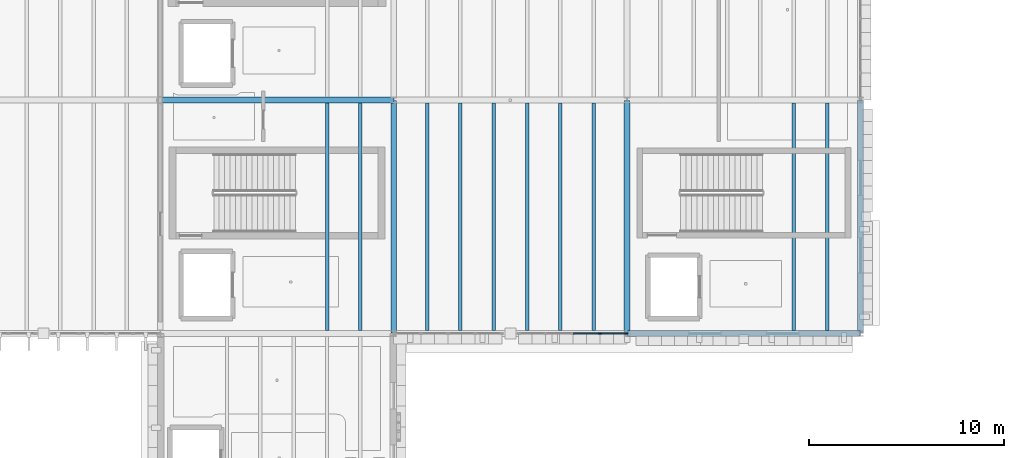
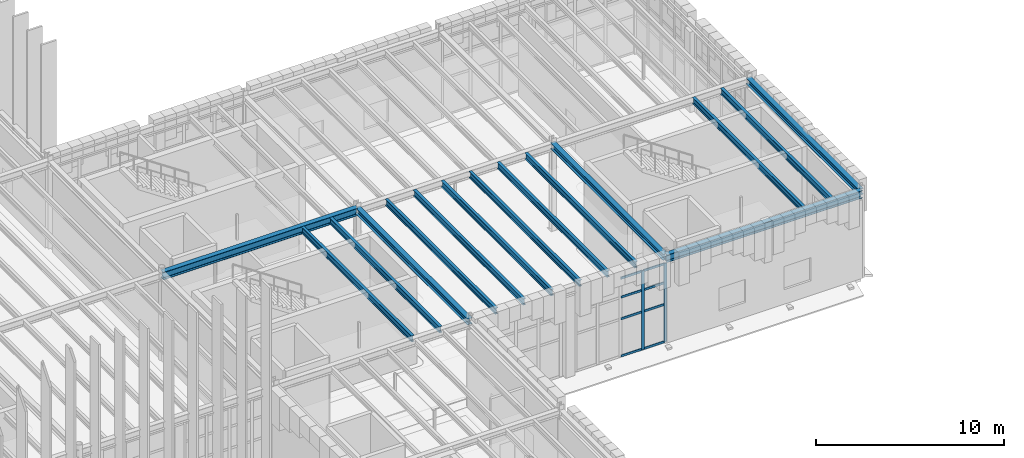
# One storey, part 32 of 83: 15 beams, 10 members, 1 element without a shape of its own.
"""IFC4 building model written with IfcOpenShell, lengths in metres."""

from ifc_helpers import new_model, si_unit, direction, frame, origin, origin_2d, place, context, subcontext, project, spatial, rectangle, i_section, extrude, material, layer, layer_set, material_profile, profile_set, type_object, element, aggregate, save


model = new_model("IFC4")

# Units and contexts
model_context = context("Model", 3, precision=1e-05, world=origin(), true_north=direction((0.0, 1.0)))
body_context = subcontext(model_context, "Body", "Model", "MODEL_VIEW")
ifc_project = project(units=[si_unit("LENGTHUNIT", "METRE"), si_unit("AREAUNIT", "SQUARE_METRE"), si_unit("VOLUMEUNIT", "CUBIC_METRE"), si_unit("PLANEANGLEUNIT", "RADIAN"), si_unit("MASSUNIT", "GRAM", prefix="KILO")], contexts=[model_context])

# Site, building, storey
site_placement = place(None, origin())
site = spatial("IfcSite", under=ifc_project, at=site_placement, CompositionType="ELEMENT")
building_placement = place(site_placement, origin())
building = spatial("IfcBuilding", under=site, at=building_placement, Name="Zlatogorsky Bluff Art Gallery", CompositionType="ELEMENT")
storey_placement = place(building_placement, frame((0.0, 0.0, 10.800048828125)))
storey = spatial("IfcBuildingStorey", under=building, at=storey_placement, Name="L02", CompositionType="ELEMENT", Elevation=10.800048828125)

# Beams
ifc_material_1 = material(Name="Steel S355", Category="steel")
ifc_material_profile_1 = material_profile(ifc_material_1, i_section(OverallWidth=0.300048828125, OverallDepth=0.489990234375, WebThickness=0.011962890625, FlangeThickness=0.02294921875, FilletRadius=0.027099609375, at=origin_2d()), Name="HEA 500")
ifc_profile_set_1 = profile_set([ifc_material_profile_1], Name="Steel S355")
beam_type_1 = type_object("IfcBeamType", Name="Beam BM-07 HEA 500", PredefinedType="BEAM", material=ifc_profile_set_1)
for number, where, z_axis, x_axis, name in (
    (1, (120.014892578125, 96.0, 5.445068359375), (1.0, 0.0, 0.0), (0.0, 1.0, 0.0), "Primary girder BM-07 L02 L-M/10"),
    (2, (144.014892578125, 84.0, 5.445068359375), (1.0, 0.0, 0.0), (0.0, 1.0, 0.0), "Primary girder BM-07 L02 N-P/9"),
):
    element("IfcBeam", number, at=place(storey_placement, frame(where, z_axis=z_axis, x_axis=x_axis)), inside=storey, type_object=beam_type_1, Name=name, PredefinedType="BEAM", context=body_context, shape_type="SweptSolid", body=[
        extrude(i_section(OverallWidth=0.300048828125, OverallDepth=0.489990234375, WebThickness=0.011962890625, FlangeThickness=0.02294921875, FilletRadius=0.027099609375, at=origin_2d()), origin(), (0.0, 0.0, 1.0), 11.97021484375),
    ])
ifc_material_profile_2 = material_profile(ifc_material_1, i_section(OverallWidth=0.300048828125, OverallDepth=0.389892578125, WebThickness=0.010986328125, FlangeThickness=0.01904296875, FilletRadius=0.027099609375, at=origin_2d()), Name="HEA 400")
ifc_profile_set_2 = profile_set([ifc_material_profile_2], Name="Steel S355")
beam_type_2 = type_object("IfcBeamType", Name="Beam BM-09 HEA 400", PredefinedType="BEAM", material=ifc_profile_set_2)
for number, where, z_axis, x_axis, name in (
    (3, (132.0, 84.014892578125, 5.494873046875), (0.0, 1.0, 0.0), (-1.0, 0.0, 0.0), "Primary girder BM-09 L02 M/9-10"),
    (4, (144.0, 84.014892578125, 5.494873046875), (0.0, 1.0, 0.0), (-1.0, 0.0, 0.0), "Primary girder BM-09 L02 N/9-10"),
    (5, (156.0, 84.014892578125, 5.494873046875), (0.0, 1.0, 0.0), (-1.0, 0.0, 0.0), "Primary girder BM-09 L02 P/9-10"),
):
    element("IfcBeam", number, at=place(storey_placement, frame(where, z_axis=z_axis, x_axis=x_axis)), inside=storey, type_object=beam_type_2, Name=name, PredefinedType="BEAM", context=body_context, shape_type="SweptSolid", body=[
        extrude(i_section(OverallWidth=0.300048828125, OverallDepth=0.389892578125, WebThickness=0.010986328125, FlangeThickness=0.01904296875, FilletRadius=0.027099609375, at=origin_2d()), origin(), (0.0, 0.0, 1.0), 11.97021484375),
    ])
ifc_material_profile_3 = material_profile(ifc_material_1, i_section(OverallWidth=0.179931640625, OverallDepth=0.39990234375, WebThickness=0.008544921875, FlangeThickness=0.013427734375, FilletRadius=0.02099609375, at=origin_2d()), Name="IPE 400")
ifc_profile_set_3 = profile_set([ifc_material_profile_3], Name="Steel S355")
beam_type_3 = type_object("IfcBeamType", Name="Beam JS-05 IPE 400", PredefinedType="JOIST", material=ifc_profile_set_3)
for number, where, z_axis, x_axis, name in (
    (6, (128.571533203125, 84.14990234375, 5.489990234375), (0.0, 1.0, 0.0), (-1.0, 0.0, 0.0), "Composite floor joist JS-05 L02 10.08.5"),
    (7, (130.28564453125, 84.14990234375, 5.489990234375), (0.0, 1.0, 0.0), (-1.0, 0.0, 0.0), "Composite floor joist JS-05 L02 10.08.6"),
    (8, (133.71435546875, 84.14990234375, 5.489990234375), (0.0, 1.0, 0.0), (-1.0, 0.0, 0.0), "Composite floor joist JS-05 L02 11.08.1"),
    (9, (135.428466796875, 84.14990234375, 5.489990234375), (0.0, 1.0, 0.0), (-1.0, 0.0, 0.0), "Composite floor joist JS-05 L02 11.08.2"),
    (10, (137.142822265625, 84.14990234375, 5.489990234375), (0.0, 1.0, 0.0), (-1.0, 0.0, 0.0), "Composite floor joist JS-05 L02 11.08.3"),
    (11, (138.857177734375, 84.14990234375, 5.489990234375), (0.0, 1.0, 0.0), (-1.0, 0.0, 0.0), "Composite floor joist JS-05 L02 11.08.4"),
    (12, (140.571533203125, 84.14990234375, 5.489990234375), (0.0, 1.0, 0.0), (-1.0, 0.0, 0.0), "Composite floor joist JS-05 L02 11.08.5"),
    (13, (142.28564453125, 84.14990234375, 5.489990234375), (0.0, 1.0, 0.0), (-1.0, 0.0, 0.0), "Composite floor joist JS-05 L02 11.08.6"),
    (14, (152.571533203125, 84.14990234375, 5.489990234375), (0.0, 1.0, 0.0), (-1.0, 0.0, 0.0), "Composite floor joist JS-05 L02 12.08.5"),
    (15, (154.28564453125, 84.14990234375, 5.489990234375), (0.0, 1.0, 0.0), (-1.0, 0.0, 0.0), "Composite floor joist JS-05 L02 12.08.6"),
):
    element("IfcBeam", number, at=place(storey_placement, frame(where, z_axis=z_axis, x_axis=x_axis)), inside=storey, type_object=beam_type_3, Name=name, PredefinedType="JOIST", context=body_context, shape_type="SweptSolid", body=[
        extrude(i_section(OverallWidth=0.179931640625, OverallDepth=0.39990234375, WebThickness=0.008544921875, FlangeThickness=0.013427734375, FilletRadius=0.02099609375, at=origin_2d()), origin(), (0.0, 0.0, 1.0), 11.7001953125),
    ])

# Curtain wall, members
ifc_material_2 = material(Name="Anodised Bronze Aluminium and Low-Iron Triple Glazing", Category="aluminium")
ifc_layer = layer(ifc_material_2, 0.199951171875)
ifc_layer_set = layer_set([ifc_layer], Name="Curtain Wall CW-02")
curtain_wall_type = type_object("IfcCurtainWallType", Name="Curtain Wall CW-02", PredefinedType="USERDEFINED", material=ifc_layer_set)
curtain_wall_placement = place(storey_placement, origin())
curtain_wall = element("IfcCurtainWall", 16, at=curtain_wall_placement, inside=storey, type_object=curtain_wall_type, Name="Unitised curtain wall CW-02 L02 S 11.8-B", ObjectType="CURTAIN WALL", PredefinedType="USERDEFINED")
ifc_material_3 = material(Name="Anodised Bronze Aluminium", Category="aluminium")
ifc_material_profile_4 = material_profile(ifc_material_3, rectangle(XDim=0.06494140625, YDim=0.179931640625, at=origin_2d()), Name="ALU MULLION 65x180")
ifc_profile_set_4 = profile_set([ifc_material_profile_4], Name="Anodised Bronze Aluminium")
member_type_1 = type_object("IfcMemberType", Name="Curtain Mullion ML-01", PredefinedType="MULLION", material=ifc_profile_set_4)
member_1_placement = place(storey_placement, frame((142.60498046875, 84.0, 0.0), z_axis=(0.0, 0.0, 1.0), x_axis=(0.0, 1.0, 0.0)))
member_1 = element("IfcMember", 17, at=member_1_placement, type_object=member_type_1, Name="CW-02 mullion 4", PredefinedType="MULLION", context=body_context, shape_type="SweptSolid", body=[
    extrude(rectangle(XDim=0.06494140625, YDim=0.179931640625, at=origin_2d()), origin(), (0.0, 0.0, 1.0), 5.10986328125),
])
member_2_placement = place(storey_placement, frame((143.967529296875, 84.0, 0.0), z_axis=(0.0, 0.0, 1.0), x_axis=(0.0, 1.0, 0.0)))
member_2 = element("IfcMember", 18, at=member_2_placement, type_object=member_type_1, Name="CW-02 mullion 5", PredefinedType="MULLION", context=body_context, shape_type="SweptSolid", body=[
    extrude(rectangle(XDim=0.06494140625, YDim=0.179931640625, at=origin_2d()), origin(), (0.0, 0.0, 1.0), 5.10986328125),
])
ifc_material_profile_5 = material_profile(ifc_material_3, rectangle(XDim=0.06494140625, YDim=0.139892578125, at=origin_2d()), Name="ALU TRANSOM 65x140")
ifc_profile_set_5 = profile_set([ifc_material_profile_5], Name="Anodised Bronze Aluminium")
member_type_2 = type_object("IfcMemberType", Name="Curtain Transom TR-01", PredefinedType="USERDEFINED", material=ifc_profile_set_5)
member_3_placement = place(storey_placement, frame((141.242431640625, 84.0, 0.032470703125), z_axis=(1.0, 0.0, 0.0), x_axis=(0.0, 1.0, 0.0)))
member_3 = element("IfcMember", 19, at=member_3_placement, type_object=member_type_2, Name="CW-02 transom 3.1", ObjectType="TRANSOM", PredefinedType="USERDEFINED", context=body_context, shape_type="SweptSolid", body=[
    extrude(rectangle(XDim=0.06494140625, YDim=0.139892578125, at=origin_2d()), origin(), (0.0, 0.0, 1.0), 1.330078125),
])
member_4_placement = place(storey_placement, frame((141.242431640625, 84.0, 2.449951171875), z_axis=(1.0, 0.0, 0.0), x_axis=(0.0, 1.0, 0.0)))
member_4 = element("IfcMember", 20, at=member_4_placement, type_object=member_type_2, Name="CW-02 transom 3.2", ObjectType="TRANSOM", PredefinedType="USERDEFINED", context=body_context, shape_type="SweptSolid", body=[
    extrude(rectangle(XDim=0.06494140625, YDim=0.139892578125, at=origin_2d()), origin(), (0.0, 0.0, 1.0), 1.330078125),
])
member_5_placement = place(storey_placement, frame((141.242431640625, 84.0, 3.849853515625), z_axis=(1.0, 0.0, 0.0), x_axis=(0.0, 1.0, 0.0)))
member_5 = element("IfcMember", 21, at=member_5_placement, type_object=member_type_2, Name="CW-02 transom 3.3", ObjectType="TRANSOM", PredefinedType="USERDEFINED", context=body_context, shape_type="SweptSolid", body=[
    extrude(rectangle(XDim=0.06494140625, YDim=0.139892578125, at=origin_2d()), origin(), (0.0, 0.0, 1.0), 1.330078125),
])
member_6_placement = place(storey_placement, frame((141.242431640625, 84.0, 5.077392578125), z_axis=(1.0, 0.0, 0.0), x_axis=(0.0, 1.0, 0.0)))
member_6 = element("IfcMember", 22, at=member_6_placement, type_object=member_type_2, Name="CW-02 transom 3.4", ObjectType="TRANSOM", PredefinedType="USERDEFINED", context=body_context, shape_type="SweptSolid", body=[
    extrude(rectangle(XDim=0.06494140625, YDim=0.139892578125, at=origin_2d()), origin(), (0.0, 0.0, 1.0), 1.330078125),
])
member_7_placement = place(storey_placement, frame((142.637451171875, 84.0, 0.032470703125), z_axis=(1.0, 0.0, 0.0), x_axis=(0.0, 1.0, 0.0)))
member_7 = element("IfcMember", 23, at=member_7_placement, type_object=member_type_2, Name="CW-02 transom 4.1", ObjectType="TRANSOM", PredefinedType="USERDEFINED", context=body_context, shape_type="SweptSolid", body=[
    extrude(rectangle(XDim=0.06494140625, YDim=0.139892578125, at=origin_2d()), origin(), (0.0, 0.0, 1.0), 1.297607421875),
])
member_8_placement = place(storey_placement, frame((142.637451171875, 84.0, 2.449951171875), z_axis=(1.0, 0.0, 0.0), x_axis=(0.0, 1.0, 0.0)))
member_8 = element("IfcMember", 24, at=member_8_placement, type_object=member_type_2, Name="CW-02 transom 4.2", ObjectType="TRANSOM", PredefinedType="USERDEFINED", context=body_context, shape_type="SweptSolid", body=[
    extrude(rectangle(XDim=0.06494140625, YDim=0.139892578125, at=origin_2d()), origin(), (0.0, 0.0, 1.0), 1.297607421875),
])
member_9_placement = place(storey_placement, frame((142.637451171875, 84.0, 3.849853515625), z_axis=(1.0, 0.0, 0.0), x_axis=(0.0, 1.0, 0.0)))
member_9 = element("IfcMember", 25, at=member_9_placement, type_object=member_type_2, Name="CW-02 transom 4.3", ObjectType="TRANSOM", PredefinedType="USERDEFINED", context=body_context, shape_type="SweptSolid", body=[
    extrude(rectangle(XDim=0.06494140625, YDim=0.139892578125, at=origin_2d()), origin(), (0.0, 0.0, 1.0), 1.297607421875),
])
member_10_placement = place(storey_placement, frame((142.637451171875, 84.0, 5.077392578125), z_axis=(1.0, 0.0, 0.0), x_axis=(0.0, 1.0, 0.0)))
member_10 = element("IfcMember", 26, at=member_10_placement, type_object=member_type_2, Name="CW-02 transom 4.4", ObjectType="TRANSOM", PredefinedType="USERDEFINED", context=body_context, shape_type="SweptSolid", body=[
    extrude(rectangle(XDim=0.06494140625, YDim=0.139892578125, at=origin_2d()), origin(), (0.0, 0.0, 1.0), 1.297607421875),
])
aggregate(curtain_wall, [member_1, member_2, member_3, member_4, member_5, member_6, member_7, member_8, member_9, member_10])

save(model, "model.ifc")
